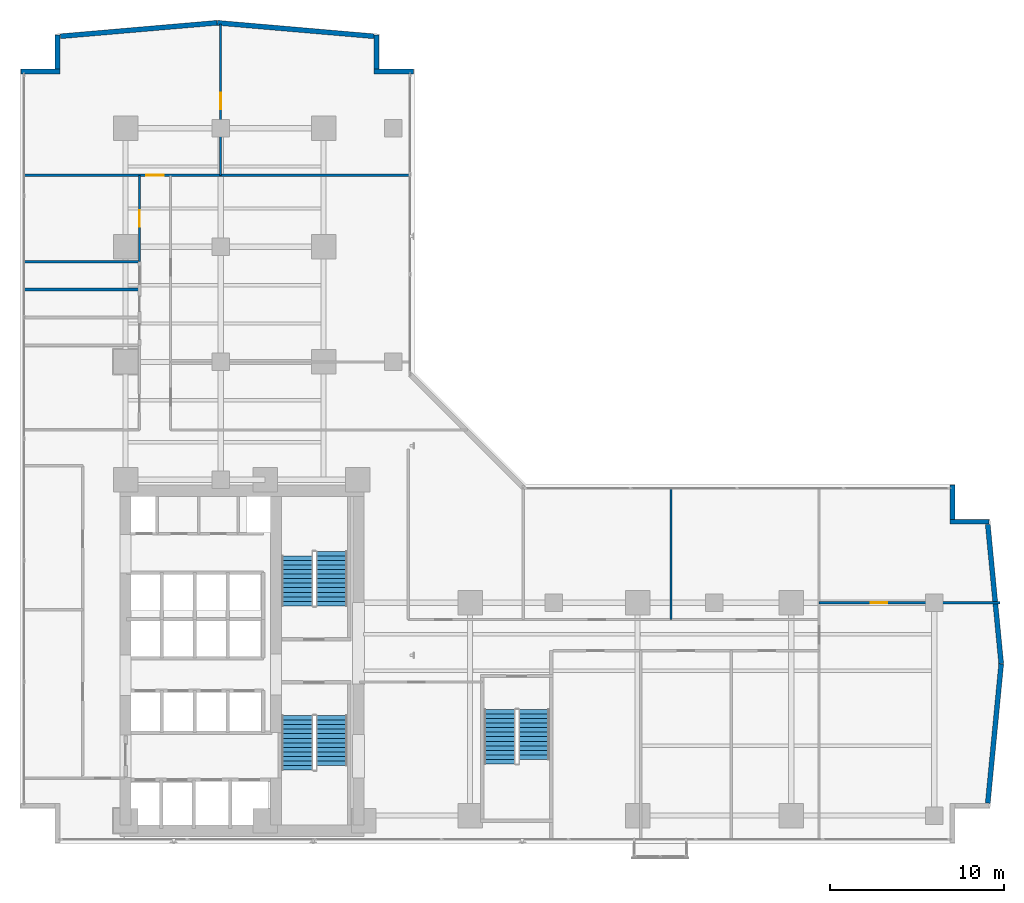
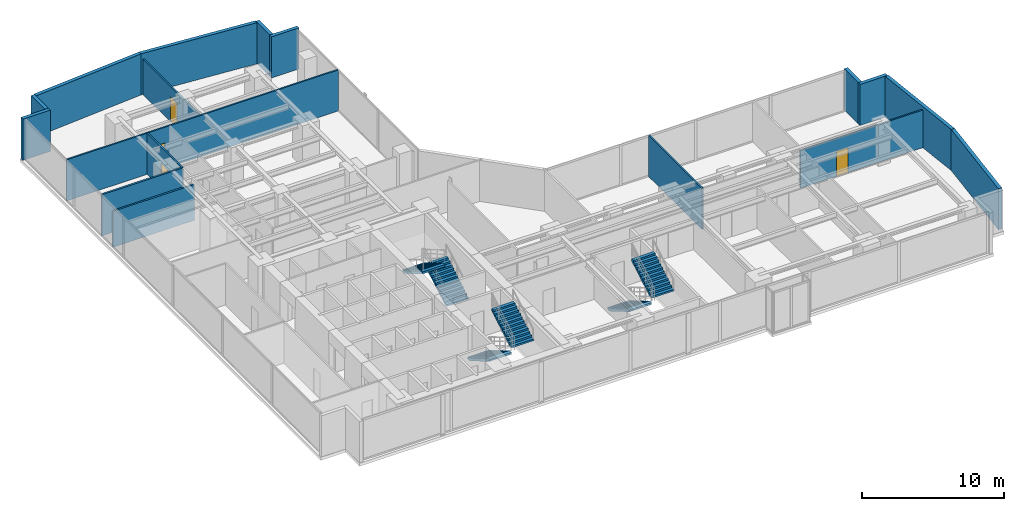
# One storey, part 22 of 28: 17 walls, 6 stair flights, 4 doors, 4 openings, 3 elements without a shape of their own.
"""IFC4 building model written with IfcOpenShell, lengths in metres."""

import ifcopenshell
import ifcopenshell.guid

model = None  # the IFC model being written
_history = None  # IfcOwnerHistory: only IFC2X3 demands one
_inside = {}  # id of a spatial element -> (the spatial element, [elements in it])
_under = {}  # id of a project, library or spatial element -> (it, [spatial elements below it])
_declared = {}  # id of a project -> (the project, [libraries it declares])
_typed = {}  # id of a type object -> (the type object, [elements of that type])
_made_of = {}  # id of a material, layer set ... -> (it, [elements and type objects made of it])


def new_model(schema):
    """Start an empty IFC model of exactly this schema.

    Asked for "IFC4X3", IfcOpenShell would pick the latest addendum, in which some entities
    have other attributes; the version numbers below select the first issue.
    IFC2X3 requires an IfcOwnerHistory on every rooted entity: one is made here for all.
    """
    global model, _history
    if schema == "IFC4X3":
        model = ifcopenshell.file(schema_version=(4, 3, 0, 0))
    else:
        model = ifcopenshell.file(schema=schema)
    _inside.clear()
    _under.clear()
    _declared.clear()
    _typed.clear()
    _made_of.clear()
    _history = None
    if model.schema == "IFC2X3":
        org = make("IfcOrganization", Name="unknown")
        user = make(
            "IfcPersonAndOrganization",
            ThePerson=make("IfcPerson", FamilyName="unknown"),
            TheOrganization=org,
        )
        app = make(
            "IfcApplication",
            ApplicationDeveloper=org,
            Version="unknown",
            ApplicationFullName="unknown",
            ApplicationIdentifier="unknown",
        )
        _history = make(
            "IfcOwnerHistory",
            OwningUser=user,
            OwningApplication=app,
            ChangeAction="ADDED",
            CreationDate=0,
        )
    return model


def make(cls, **values):
    """One entity of the class cls with the attributes given. An attribute that is None is left unset."""
    return model.create_entity(
        cls, **{name: value for name, value in values.items() if value is not None}
    )


def rooted(cls, **values):
    """An entity with a GlobalId (a new one), such as an element, a storey or a relation."""
    return make(cls, GlobalId=ifcopenshell.guid.new(), OwnerHistory=_history, **values)


def si_unit(unit_type, name, prefix=None):
    """IfcSIUnit, for example si_unit("LENGTHUNIT", "METRE", prefix="MILLI")."""
    return make("IfcSIUnit", UnitType=unit_type, Prefix=prefix, Name=name)


def assignment(units):
    """IfcUnitAssignment: the units of a project."""
    return None if units is None else make("IfcUnitAssignment", Units=units)


def point(xyz):
    """IfcCartesianPoint."""
    return None if xyz is None else make("IfcCartesianPoint", Coordinates=xyz)


def direction(xyz):
    """IfcDirection."""
    return None if xyz is None else make("IfcDirection", DirectionRatios=xyz)


def frame(location, z_axis=None, x_axis=None):
    """IfcAxis2Placement3D, a coordinate frame: its origin and axes. An axis left out is left unset."""
    return make(
        "IfcAxis2Placement3D",
        Location=point(location),
        Axis=direction(z_axis),
        RefDirection=direction(x_axis),
    )


def frame_2d(location, x_axis=None):
    """IfcAxis2Placement2D, a coordinate frame in the plane: its origin and x axis."""
    return make(
        "IfcAxis2Placement2D", Location=point(location), RefDirection=direction(x_axis)
    )


def origin():
    """The frame at (0, 0, 0) with its axes left unset."""
    return frame((0.0, 0.0, 0.0))


def place(relative_to, where):
    """IfcLocalPlacement: puts the frame where relative to a parent placement (None: the world)."""
    return make(
        "IfcLocalPlacement", PlacementRelTo=relative_to, RelativePlacement=where
    )


def context(
    kind, dimensions, precision=None, world=None, true_north=None, identifier=None
):
    """IfcGeometricRepresentationContext, for example the 3D "Model" context."""
    return make(
        "IfcGeometricRepresentationContext",
        ContextIdentifier=identifier,
        ContextType=kind,
        CoordinateSpaceDimension=dimensions,
        Precision=precision,
        WorldCoordinateSystem=world,
        TrueNorth=true_north,
    )


def subcontext(parent, identifier, kind, view, scale=None):
    """IfcGeometricRepresentationSubContext, for example "Body" below "Model"."""
    return make(
        "IfcGeometricRepresentationSubContext",
        ContextIdentifier=identifier,
        ContextType=kind,
        ParentContext=parent,
        TargetScale=scale,
        TargetView=view,
    )


def project(units=None, contexts=None):
    """IfcProject with its units and contexts."""
    return rooted(
        "IfcProject",
        Name="project",
        RepresentationContexts=contexts,
        UnitsInContext=assignment(units),
    )


def spatial(cls, under=None, at=None, **own):
    """A site, building, storey or space (cls), placed at a placement, below another one or the project."""
    s = rooted(cls, ObjectPlacement=at, **own)
    if under is not None:
        _under.setdefault(under.id(), (under, []))[1].append(s)
    return s


def polyline(points):
    """IfcPolyline through the points."""
    return make("IfcPolyline", Points=[point(p) for p in points])


def profile(cls, at=None, kind="AREA", **sizes):
    """A parametric profile (cls). Its sizes go by their IFC names, for example OverallWidth=200.0."""
    return make(cls, ProfileType=kind, Position=at, **sizes)


def rectangle(**sizes):
    """IfcRectangleProfileDef."""
    return profile("IfcRectangleProfileDef", **sizes)


def outline(outer, holes=None, kind="AREA"):
    """IfcArbitraryClosedProfileDef: a profile drawn as a closed curve; with holes, ...WithVoids."""
    if holes is None:
        return make("IfcArbitraryClosedProfileDef", ProfileType=kind, OuterCurve=outer)
    return make(
        "IfcArbitraryProfileDefWithVoids",
        ProfileType=kind,
        OuterCurve=outer,
        InnerCurves=holes,
    )


def extrude(swept, where, along, depth):
    """IfcExtrudedAreaSolid: the profile swept, set in the frame where, extruded along a direction by depth."""
    return make(
        "IfcExtrudedAreaSolid",
        SweptArea=swept,
        Position=where,
        ExtrudedDirection=direction(along),
        Depth=depth,
    )


def shape(context_of_items, identifier, shape_type, items):
    """IfcShapeRepresentation: the items that make up one representation, for example the "Body"."""
    return make(
        "IfcShapeRepresentation",
        ContextOfItems=context_of_items,
        RepresentationIdentifier=identifier,
        RepresentationType=shape_type,
        Items=items,
    )


def material(Name=None, Category=None):
    """IfcMaterial."""
    return make("IfcMaterial", Name=Name, Category=Category)


def layer(
    of_material, thickness, ventilated=None, Name=None, Category=None, Priority=None
):
    """IfcMaterialLayer: one layer of a wall or slab, of a material (None: an air gap)."""
    return make(
        "IfcMaterialLayer",
        Material=of_material,
        LayerThickness=thickness,
        IsVentilated=ventilated,
        Name=Name,
        Category=Category,
        Priority=Priority,
    )


def layer_set(layers, Name=None):
    """IfcMaterialLayerSet."""
    return make("IfcMaterialLayerSet", MaterialLayers=layers, LayerSetName=Name)


def made_of(thing, what):
    """Note that an element or type object is made of a material, layer set ...; save() writes the relation."""
    if what is not None:
        _made_of.setdefault(what.id(), (what, []))[1].append(thing)
    return thing


def type_object(cls, material=None, **own):
    """A type object (cls), such as IfcWallType, which elements share."""
    return made_of(rooted(cls, **own), material)


def element(
    cls,
    number,
    at=None,
    inside=None,
    cuts=None,
    type_object=None,
    material=None,
    context=None,
    identifier="Body",
    shape_type=None,
    held_by="IfcProductDefinitionShape",
    body=None,
    shapes=None,
    **own,
):
    """One element of the class cls, such as IfcWall. Its Tag is "e" and its number.

    at: its placement. inside: the storey or other place that contains it. cuts: it is an
    opening in that element (IfcRelVoidsElement). A single representation is given by context,
    identifier, shape_type and body (its items); several are given by shapes. held_by: the class
    of the entity that holds the representations. save() writes the other relations.
    """
    e = rooted(cls, Tag="e%d" % number, ObjectPlacement=at, **own)
    if body is not None:
        shapes = [shape(context, identifier, shape_type, body)]
    if shapes is not None:
        e.Representation = make(held_by, Representations=shapes)
    if inside is not None:
        _inside.setdefault(inside.id(), (inside, []))[1].append(e)
    if cuts is not None:
        rooted(
            "IfcRelVoidsElement", RelatingBuildingElement=cuts, RelatedOpeningElement=e
        )
    if type_object is not None:
        _typed.setdefault(type_object.id(), (type_object, []))[1].append(e)
    return made_of(e, material)


def fill(opening, filler):
    """IfcRelFillsElement: the door or window that sits in an opening."""
    return rooted(
        "IfcRelFillsElement",
        RelatingOpeningElement=opening,
        RelatedBuildingElement=filler,
    )


def aggregate(whole, parts):
    """IfcRelAggregates: a whole, such as a stair, and the parts it consists of."""
    return rooted("IfcRelAggregates", RelatingObject=whole, RelatedObjects=parts)


def save(model, path):
    """Write the relations noted so far, then the file.

    IfcRelAggregates (storeys below a building ...), IfcRelContainedInSpatialStructure (elements
    in a storey), IfcRelDefinesByType, IfcRelAssociatesMaterial and IfcRelDeclares: one each for
    every whole, place, type object, material and project.
    """
    for whole, parts in _under.values():
        aggregate(whole, parts)
    for where, things in _inside.values():
        rooted(
            "IfcRelContainedInSpatialStructure",
            RelatedElements=things,
            RelatingStructure=where,
        )
    for kind, things in _typed.values():
        rooted("IfcRelDefinesByType", RelatedObjects=things, RelatingType=kind)
    for what, things in _made_of.values():
        rooted("IfcRelAssociatesMaterial", RelatedObjects=things, RelatingMaterial=what)
    for by, libraries in _declared.values():
        rooted("IfcRelDeclares", RelatingContext=by, RelatedDefinitions=libraries)
    model.write(path)


model = new_model("IFC4")

# Units and contexts
model_context = context("Model", 3, precision=1e-05, world=origin(), true_north=direction((0.0, 1.0)))
body_context = subcontext(model_context, "Body", "Model", "MODEL_VIEW")
ifc_project = project(units=[si_unit("LENGTHUNIT", "METRE"), si_unit("AREAUNIT", "SQUARE_METRE"), si_unit("VOLUMEUNIT", "CUBIC_METRE"), si_unit("PLANEANGLEUNIT", "RADIAN"), si_unit("MASSUNIT", "GRAM", prefix="KILO")], contexts=[model_context])

# Site, building, storey
site_placement = place(None, origin())
site = spatial("IfcSite", under=ifc_project, at=site_placement, CompositionType="ELEMENT")
building_placement = place(site_placement, origin())
building = spatial("IfcBuilding", under=site, at=building_placement, Name="Kolvaren Waterfront Exchange", CompositionType="ELEMENT")
storey_placement = place(building_placement, frame((0.0, 0.0, 103.10009765625)))
storey = spatial("IfcBuildingStorey", under=building, at=storey_placement, Name="L26", CompositionType="ELEMENT", Elevation=103.10009765625)

# Walls
ifc_material_1 = material(Name="Precast concrete C40/50", Category="concrete")
ifc_layer_1 = layer(ifc_material_1, 0.280029296875, Name="Precast concrete C40/50")
ifc_layer_set_1 = layer_set([ifc_layer_1], Name="Precast concrete C40/50")
wall_type_1 = type_object("IfcWallType", Name="ARC-EXT-TERR-280", PredefinedType="SOLIDWALL", material=ifc_layer_set_1)
wall_1_placement = place(storey_placement, frame((54.840087890625, 22.1650390625, 0.0), z_axis=(0.0, 0.0, 1.0), x_axis=(0.0, 1.0, 0.0)))
element("IfcWall", 1, at=wall_1_placement, inside=storey, type_object=wall_type_1, Name="L26 notched corner spandrel pier ENE-A", PredefinedType="SOLIDWALL", context=body_context, shape_type="SweptSolid", body=[
    extrude(rectangle(XDim=1.974853515625, YDim=0.280029296875, at=frame_2d((0.9873046875, 0.0))), origin(), (0.0, 0.0, 1.0), 3.539794921875),
])
for number, where, z_axis, x_axis, name in (
    (2, (54.699951171875, 22.0400390625, 0.0), (0.0, 0.0, 1.0), (1.0, 0.0, 0.0), "L26 notched corner spandrel pier ENE-B"),
    (3, (21.699951171875, 47.840087890625, 0.0), (0.0, 0.0, 1.0), (1.0, 0.0, 0.0), "L26 notched corner spandrel pier NNE-A"),
):
    element("IfcWall", number, at=place(storey_placement, frame(where, z_axis=z_axis, x_axis=x_axis)), inside=storey, type_object=wall_type_1, Name=name, PredefinedType="SOLIDWALL", context=body_context, shape_type="SweptSolid", body=[
        extrude(rectangle(XDim=2.239990234375, YDim=0.280029296875, at=frame_2d((1.1201171875, 0.0))), origin(), (0.0, 0.0, 1.0), 3.539794921875),
    ])
wall_2_placement = place(storey_placement, frame((21.840087890625, 47.97998046875, 0.0), z_axis=(0.0, 0.0, 1.0), x_axis=(0.0, 1.0, 0.0)))
element("IfcWall", 4, at=wall_2_placement, inside=storey, type_object=wall_type_1, Name="L26 notched corner spandrel pier NNE-B", PredefinedType="SOLIDWALL", context=body_context, shape_type="SweptSolid", body=[
    extrude(rectangle(XDim=1.9599609375, YDim=0.280029296875, at=frame_2d((0.97998046875, 0.0))), origin(), (0.0, 0.0, 1.0), 3.539794921875),
])
wall_3_placement = place(storey_placement, frame((1.4599609375, 47.840087890625, 0.0), z_axis=(0.0, 0.0, 1.0), x_axis=(1.0, 0.0, 0.0)))
element("IfcWall", 5, at=wall_3_placement, inside=storey, type_object=wall_type_1, Name="L26 notched corner spandrel pier NW-A", PredefinedType="SOLIDWALL", context=body_context, shape_type="SweptSolid", body=[
    extrude(rectangle(XDim=2.239990234375, YDim=0.280029296875, at=frame_2d((1.1201171875, 0.0))), origin(), (0.0, 0.0, 1.0), 3.539794921875),
])
wall_4_placement = place(storey_placement, frame((3.56005859375, 47.97998046875, 0.0), z_axis=(0.0, 0.0, 1.0), x_axis=(0.0, 1.0, 0.0)))
element("IfcWall", 6, at=wall_4_placement, inside=storey, type_object=wall_type_1, Name="L26 notched corner spandrel pier NW-B", PredefinedType="SOLIDWALL", context=body_context, shape_type="SweptSolid", body=[
    extrude(rectangle(XDim=1.9599609375, YDim=0.280029296875, at=frame_2d((0.97998046875, 0.0))), origin(), (0.0, 0.0, 1.0), 3.539794921875),
])
for number, where, z_axis, x_axis, name in (
    (7, (56.869384765625, 5.9140625, 0.0), (0.0, 0.0, 1.0), (0.095969995245, 0.995384227328, 0.0), "L26 east prow faceted facade wall 1"),
    (8, (57.638916015625, 13.904541015625, 0.0), (0.0, 0.0, 1.0), (-0.095969995245, 0.995384227328, 0.0), "L26 east prow faceted facade wall 2"),
):
    element("IfcWall", number, at=place(storey_placement, frame(where, z_axis=z_axis, x_axis=x_axis)), inside=storey, type_object=wall_type_1, Name=name, PredefinedType="SOLIDWALL", context=body_context, shape_type="SweptSolid", body=[
        extrude(rectangle(XDim=8.0185546875, YDim=0.280029296875, at=frame_2d((4.00927734375, 0.0))), origin(), (0.0, 0.0, 1.0), 3.539794921875),
    ])
for number, where, z_axis, x_axis, name in (
    (9, (21.6875, 49.8662109375, 0.0), (0.0, 0.0, 1.0), (-0.996319339243, 0.085719159179, 0.0), "L26 north prow faceted facade wall 1"),
    (10, (12.69384765625, 50.638916015625, 0.0), (0.0, 0.0, 1.0), (-0.996319339243, -0.085719159179, 0.0), "L26 north prow faceted facade wall 2"),
):
    element("IfcWall", number, at=place(storey_placement, frame(where, z_axis=z_axis, x_axis=x_axis)), inside=storey, type_object=wall_type_1, Name=name, PredefinedType="SOLIDWALL", context=body_context, shape_type="SweptSolid", body=[
        extrude(rectangle(XDim=9.014404296875, YDim=0.280029296875, at=frame_2d((4.50732421875, 0.0))), origin(), (0.0, 0.0, 1.0), 3.539794921875),
    ])

# Wall, opening, door
ifc_material_2 = material(Name="Acoustic gypsum steel stud", Category="steel")
ifc_layer_2 = layer(ifc_material_2, 0.125, Name="Acoustic gypsum steel stud")
ifc_layer_set_2 = layer_set([ifc_layer_2], Name="Acoustic gypsum steel stud")
wall_type_2 = type_object("IfcWallType", Name="ARC-PART-125", PredefinedType="PARTITIONING", material=ifc_layer_set_2)
wall_5_placement = place(storey_placement, frame((47.199951171875, 17.39990234375, 0.0), z_axis=(0.0, 0.0, 1.0), x_axis=(1.0, 0.0, 0.0)))
wall_5 = element("IfcWall", 11, at=wall_5_placement, inside=storey, type_object=wall_type_2, Name="L26 interior wall PW-L26-ETIP-MID", PredefinedType="PARTITIONING", context=body_context, shape_type="SweptSolid", body=[
    extrude(rectangle(XDim=10.360107421875, YDim=0.125, at=frame_2d((5.18017578125, 0.0))), origin(), (0.0, 0.0, 1.0), 3.239990234375),
])
opening_1_placement = place(wall_5_placement, frame((2.949951171875, 0.0, 0.0)))
opening_1 = element("IfcOpeningElement", 12, at=opening_1_placement, cuts=wall_5, Name="Opening D02", PredefinedType="OPENING", context=body_context, shape_type="SweptSolid", body=[
    extrude(rectangle(XDim=0.949951171875, YDim=2.14990234375, at=frame_2d((0.47509765625, 1.074951171875))), frame((0.0, 0.072509765625, 0.0), z_axis=(0.0, -1.0, 0.0), x_axis=(1.0, 0.0, 0.0)), (0.0, 0.0, 1.0), 0.14501953125),
])
ifc_material_3 = material(Name="Oak veneer acoustic timber", Category="wood")
door_type_1 = type_object("IfcDoorType", Name="ARC-DR-950", OperationType="NOTDEFINED", PredefinedType="DOOR", material=ifc_material_3)
door_1_placement = place(opening_1_placement, origin())
door_1 = element("IfcDoor", 13, at=door_1_placement, inside=storey, type_object=door_type_1, Name="L26 door DR-L26-ETIP2-D (D02)", OperationType="SINGLE_SWING_RIGHT", OverallHeight=2.14990234375, OverallWidth=0.949951171875, PredefinedType="DOOR", context=body_context, shape_type="SweptSolid", body=[
    extrude(rectangle(XDim=0.949951171875, YDim=2.14990234375, at=frame_2d((0.47509765625, 1.074951171875))), frame((0.0, 0.02490234375, 0.0), z_axis=(0.0, -1.0, 0.0), x_axis=(1.0, 0.0, 0.0)), (0.0, 0.0, 1.0), 0.050048828125),
])
fill(opening_1, door_1)

# Wall
wall_6_placement = place(storey_placement, frame((38.719970703125, 16.429931640625, 0.0), z_axis=(0.0, 0.0, 1.0), x_axis=(0.0, 1.0, 0.0)))
element("IfcWall", 14, at=wall_6_placement, inside=storey, type_object=wall_type_2, Name="L26 interior wall PW-L26-EN-DIV-2", PredefinedType="PARTITIONING", context=body_context, shape_type="SweptSolid", body=[
    extrude(rectangle(XDim=7.530029296875, YDim=0.125, at=frame_2d((3.76513671875, 0.0))), origin(), (0.0, 0.0, 1.0), 3.539794921875),
])

# Wall, opening, door
wall_7_placement = place(storey_placement, frame((8.25, 36.949951171875, 0.0), z_axis=(0.0, 0.0, 1.0), x_axis=(0.0, 1.0, 0.0)))
wall_7 = element("IfcWall", 15, at=wall_7_placement, inside=storey, type_object=wall_type_2, Name="L26 interior wall PW-L26-NW-CORR", PredefinedType="PARTITIONING", context=body_context, shape_type="SweptSolid", body=[
    extrude(rectangle(XDim=4.949951171875, YDim=0.125, at=frame_2d((2.47509765625, 0.0))), origin(), (0.0, 0.0, 1.0), 3.539794921875),
])
opening_2_placement = place(wall_7_placement, frame((2.0, 0.0, 0.0)))
opening_2 = element("IfcOpeningElement", 16, at=opening_2_placement, cuts=wall_7, Name="Opening D02", PredefinedType="OPENING", context=body_context, shape_type="SweptSolid", body=[
    extrude(rectangle(XDim=0.949951171875, YDim=2.14990234375, at=frame_2d((0.47509765625, 1.074951171875))), frame((0.0, 0.072509765625, 0.0), z_axis=(0.0, -1.0, 0.0), x_axis=(1.0, 0.0, 0.0)), (0.0, 0.0, 1.0), 0.14501953125),
])
door_2_placement = place(opening_2_placement, origin())
door_2 = element("IfcDoor", 17, at=door_2_placement, inside=storey, type_object=door_type_1, Name="L26 door DR-L26-NW-D-1 (D02)", OperationType="SINGLE_SWING_RIGHT", OverallHeight=2.14990234375, OverallWidth=0.949951171875, PredefinedType="DOOR", context=body_context, shape_type="SweptSolid", body=[
    extrude(rectangle(XDim=0.949951171875, YDim=2.14990234375, at=frame_2d((0.47509765625, 1.074951171875))), frame((0.0, 0.02490234375, 0.0), z_axis=(0.0, -1.0, 0.0), x_axis=(1.0, 0.0, 0.0)), (0.0, 0.0, 1.0), 0.050048828125),
])
fill(opening_2, door_2)

wall_8_placement = place(storey_placement, frame((1.639892578125, 41.89990234375, 0.0), z_axis=(0.0, 0.0, 1.0), x_axis=(1.0, 0.0, 0.0)))
wall_8 = element("IfcWall", 18, at=wall_8_placement, inside=storey, type_object=wall_type_2, Name="L26 interior wall PW-L26-NTIP-S", PredefinedType="PARTITIONING", context=body_context, shape_type="SweptSolid", body=[
    extrude(rectangle(XDim=22.1201171875, YDim=0.125, at=frame_2d((11.06005859375, 0.0))), origin(), (0.0, 0.0, 1.0), 3.539794921875),
])
opening_3_placement = place(wall_8_placement, frame((7.0, 0.0, 0.0)))
opening_3 = element("IfcOpeningElement", 19, at=opening_3_placement, cuts=wall_8, Name="Opening D03", PredefinedType="OPENING", context=body_context, shape_type="SweptSolid", body=[
    extrude(rectangle(XDim=1.0, YDim=2.199951171875, at=frame_2d((0.5, 1.10009765625))), frame((0.0, 0.072509765625, 0.0), z_axis=(0.0, -1.0, 0.0), x_axis=(1.0, 0.0, 0.0)), (0.0, 0.0, 1.0), 0.14501953125),
])
ifc_material_4 = material(Name="Oak veneer accessible timber", Category="wood")
door_type_2 = type_object("IfcDoorType", Name="ARC-DR-1000", OperationType="NOTDEFINED", PredefinedType="DOOR", material=ifc_material_4)
door_3_placement = place(opening_3_placement, origin())
door_3 = element("IfcDoor", 20, at=door_3_placement, inside=storey, type_object=door_type_2, Name="L26 door DR-L26-NTIPW-D (D03)", OperationType="SINGLE_SWING_LEFT", OverallHeight=2.199951171875, OverallWidth=1.0, PredefinedType="DOOR", context=body_context, shape_type="SweptSolid", body=[
    extrude(rectangle(XDim=1.0, YDim=2.199951171875, at=frame_2d((0.5, 1.10009765625))), frame((0.0, 0.02490234375, 0.0), z_axis=(0.0, -1.0, 0.0), x_axis=(1.0, 0.0, 0.0)), (0.0, 0.0, 1.0), 0.050048828125),
])
fill(opening_3, door_3)

wall_9_placement = place(storey_placement, frame((12.89990234375, 41.89990234375, 0.0), z_axis=(0.0, 0.0, 1.0), x_axis=(0.0, 1.0, 0.0)))
wall_9 = element("IfcWall", 21, at=wall_9_placement, inside=storey, type_object=wall_type_2, Name="L26 interior wall PW-L26-NTIP-DIV", PredefinedType="PARTITIONING", context=body_context, shape_type="SweptSolid", body=[
    extrude(rectangle(XDim=8.66015625, YDim=0.125, at=frame_2d((4.330078125, 0.0))), origin(), (0.0, 0.0, 1.0), 3.039794921875),
])
opening_4_placement = place(wall_9_placement, frame((3.77880859375, 0.0, 0.0)))
opening_4 = element("IfcOpeningElement", 22, at=opening_4_placement, cuts=wall_9, Name="Opening D02", PredefinedType="OPENING", context=body_context, shape_type="SweptSolid", body=[
    extrude(rectangle(XDim=0.949951171875, YDim=2.14990234375, at=frame_2d((0.47509765625, 1.074951171875))), frame((0.0, 0.072509765625, 0.0), z_axis=(0.0, -1.0, 0.0), x_axis=(1.0, 0.0, 0.0)), (0.0, 0.0, 1.0), 0.14501953125),
])
door_4_placement = place(opening_4_placement, origin())
door_4 = element("IfcDoor", 23, at=door_4_placement, inside=storey, type_object=door_type_1, Name="L26 door DR-L26-NTIPE-D (D02)", OperationType="SINGLE_SWING_RIGHT", OverallHeight=2.14990234375, OverallWidth=0.949951171875, PredefinedType="DOOR", context=body_context, shape_type="SweptSolid", body=[
    extrude(rectangle(XDim=0.949951171875, YDim=2.14990234375, at=frame_2d((0.47509765625, 1.074951171875))), frame((0.0, 0.02490234375, 0.0), z_axis=(0.0, -1.0, 0.0), x_axis=(1.0, 0.0, 0.0)), (0.0, 0.0, 1.0), 0.050048828125),
])
fill(opening_4, door_4)

# Walls
ifc_material_5 = material(Name="Moisture-resistant gypsum stud")
ifc_layer_3 = layer(ifc_material_5, 0.14990234375, Name="Moisture-resistant gypsum stud")
ifc_layer_set_3 = layer_set([ifc_layer_3], Name="Moisture-resistant gypsum stud")
wall_type_3 = type_object("IfcWallType", Name="ARC-PLUMB-150", PredefinedType="PLUMBINGWALL", material=ifc_layer_set_3)
wall_10_placement = place(storey_placement, frame((1.639892578125, 35.35009765625, 0.0), z_axis=(0.0, 0.0, 1.0), x_axis=(1.0, 0.0, 0.0)))
element("IfcWall", 24, at=wall_10_placement, inside=storey, type_object=wall_type_3, Name="L26 interior wall PW-L26-WC-2", PredefinedType="PLUMBINGWALL", context=body_context, shape_type="SweptSolid", body=[
    extrude(rectangle(XDim=6.610107421875, YDim=0.14990234375, at=frame_2d((3.30517578125, 0.0))), origin(), (0.0, 0.0, 1.0), 3.08984375),
])
wall_11_placement = place(storey_placement, frame((1.639892578125, 36.949951171875, 0.0), z_axis=(0.0, 0.0, 1.0), x_axis=(1.0, 0.0, 0.0)))
element("IfcWall", 25, at=wall_11_placement, inside=storey, type_object=wall_type_3, Name="L26 interior wall PW-L26-WC-3", PredefinedType="PLUMBINGWALL", context=body_context, shape_type="SweptSolid", body=[
    extrude(rectangle(XDim=6.610107421875, YDim=0.14990234375, at=frame_2d((3.30517578125, 0.0))), origin(), (0.0, 0.0, 1.0), 3.539794921875),
])

# Stair, stair flights
ifc_material_6 = material(Name="Concrete C40/50", Category="concrete")
stair_type = type_object("IfcStairType", Name="ARC-STAIR-3800", PredefinedType="HALF_TURN_STAIR", material=ifc_material_6)
stair_1_placement = place(storey_placement, origin())
stair_1 = element("IfcStair", 26, at=stair_1_placement, inside=storey, type_object=stair_type, Name="L26 Smoke-proof exit stair ST1", PredefinedType="HALF_TURN_STAIR")
stair_flight_type = type_object("IfcStairFlightType", Name="ARC-FLIGHT-3800", PredefinedType="STRAIGHT", material=ifc_material_6)
stair_flight_1_placement = place(storey_placement, frame((17.300048828125, 10.929931640625, 0.0), z_axis=(0.0, 0.0, 1.0), x_axis=(0.0, -1.0, 0.0)))
stair_flight_1 = element("IfcStairFlight", 27, at=stair_flight_1_placement, type_object=stair_flight_type, Name="ST1 flight 1", NumberOfRisers=13, NumberOfTreads=12, PredefinedType="STRAIGHT", RiserHeight=0.152, TreadLength=0.26, context=body_context, shape_type="SweptSolid", body=[
    extrude(outline(polyline([(0.0, 0.0), (0.0, 0.152099609375), (0.260009765625, 0.152099609375), (0.260009765625, 0.303955078125), (0.52001953125, 0.303955078125), (0.52001953125, 0.4560546875), (0.780029296875, 0.4560546875), (0.780029296875, 0.60791015625), (1.0400390625, 0.60791015625), (1.0400390625, 0.760009765625), (1.300048828125, 0.760009765625), (1.300048828125, 0.912109375), (1.56005859375, 0.912109375), (1.56005859375, 1.06396484375), (1.820068359375, 1.06396484375), (1.820068359375, 1.216064453125), (2.080078125, 1.216064453125), (2.080078125, 1.367919921875), (2.340087890625, 1.367919921875), (2.340087890625, 1.52001953125), (2.60009765625, 1.52001953125), (2.60009765625, 1.672119140625), (2.860107421875, 1.672119140625), (2.860107421875, 1.823974609375), (3.1201171875, 1.823974609375), (3.1201171875, 1.97607421875), (3.1201171875, 1.650390625), (0.297119140625, 0.0), (0.0, 0.0)])), frame((0.0, 0.89990234375, 0.0), z_axis=(0.0, -1.0, 0.0), x_axis=(1.0, 0.0, 0.0)), (0.0, 0.0, 1.0), 1.800048828125),
])
stair_flight_2_placement = place(storey_placement, frame((19.260009765625, 8.070068359375, 1.975830078125), z_axis=(0.0, 0.0, 1.0), x_axis=(0.0, 1.0, 0.0)))
stair_flight_2 = element("IfcStairFlight", 28, at=stair_flight_2_placement, type_object=stair_flight_type, Name="ST1 flight 2", NumberOfRisers=12, NumberOfTreads=11, PredefinedType="STRAIGHT", RiserHeight=0.152, TreadLength=0.26, context=body_context, shape_type="SweptSolid", body=[
    extrude(outline(polyline([(0.0, 0.0), (0.0, 0.152099609375), (0.260009765625, 0.152099609375), (0.260009765625, 0.303955078125), (0.52001953125, 0.303955078125), (0.52001953125, 0.4560546875), (0.780029296875, 0.4560546875), (0.780029296875, 0.60791015625), (1.0400390625, 0.60791015625), (1.0400390625, 0.760009765625), (1.300048828125, 0.760009765625), (1.300048828125, 0.912109375), (1.56005859375, 0.912109375), (1.56005859375, 1.06396484375), (1.820068359375, 1.06396484375), (1.820068359375, 1.216064453125), (2.080078125, 1.216064453125), (2.080078125, 1.367919921875), (2.340087890625, 1.367919921875), (2.340087890625, 1.52001953125), (2.60009765625, 1.52001953125), (2.60009765625, 1.672119140625), (2.860107421875, 1.672119140625), (2.860107421875, 1.823974609375), (2.860107421875, 1.498291015625), (0.297119140625, 0.0), (0.0, 0.0)])), frame((0.0, 0.89990234375, 0.0), z_axis=(0.0, -1.0, 0.0), x_axis=(1.0, 0.0, 0.0)), (0.0, 0.0, 1.0), 1.800048828125),
])
aggregate(stair_1, [stair_flight_1, stair_flight_2])

stair_2_placement = place(storey_placement, origin())
stair_2 = element("IfcStair", 29, at=stair_2_placement, inside=storey, type_object=stair_type, Name="L26 Smoke-proof exit stair ST2", PredefinedType="HALF_TURN_STAIR")
stair_flight_3_placement = place(storey_placement, frame((19.260009765625, 17.219970703125, 0.0), z_axis=(0.0, 0.0, 1.0), x_axis=(0.0, 1.0, 0.0)))
stair_flight_3 = element("IfcStairFlight", 30, at=stair_flight_3_placement, type_object=stair_flight_type, Name="ST2 flight 1", NumberOfRisers=13, NumberOfTreads=12, PredefinedType="STRAIGHT", RiserHeight=0.152, TreadLength=0.26, context=body_context, shape_type="SweptSolid", body=[
    extrude(outline(polyline([(0.0, 0.0), (0.0, 0.152099609375), (0.260009765625, 0.152099609375), (0.260009765625, 0.303955078125), (0.52001953125, 0.303955078125), (0.52001953125, 0.4560546875), (0.780029296875, 0.4560546875), (0.780029296875, 0.60791015625), (1.0400390625, 0.60791015625), (1.0400390625, 0.760009765625), (1.300048828125, 0.760009765625), (1.300048828125, 0.912109375), (1.56005859375, 0.912109375), (1.56005859375, 1.06396484375), (1.820068359375, 1.06396484375), (1.820068359375, 1.216064453125), (2.080078125, 1.216064453125), (2.080078125, 1.367919921875), (2.340087890625, 1.367919921875), (2.340087890625, 1.52001953125), (2.60009765625, 1.52001953125), (2.60009765625, 1.672119140625), (2.860107421875, 1.672119140625), (2.860107421875, 1.823974609375), (3.1201171875, 1.823974609375), (3.1201171875, 1.97607421875), (3.1201171875, 1.650390625), (0.297119140625, 0.0), (0.0, 0.0)])), frame((0.0, 0.89990234375, 0.0), z_axis=(0.0, -1.0, 0.0), x_axis=(1.0, 0.0, 0.0)), (0.0, 0.0, 1.0), 1.800048828125),
])
stair_flight_4_placement = place(storey_placement, frame((17.300048828125, 20.080078125, 1.975830078125), z_axis=(0.0, 0.0, 1.0), x_axis=(0.0, -1.0, 0.0)))
stair_flight_4 = element("IfcStairFlight", 31, at=stair_flight_4_placement, type_object=stair_flight_type, Name="ST2 flight 2", NumberOfRisers=12, NumberOfTreads=11, PredefinedType="STRAIGHT", RiserHeight=0.152, TreadLength=0.26, context=body_context, shape_type="SweptSolid", body=[
    extrude(outline(polyline([(0.0, 0.0), (0.0, 0.152099609375), (0.260009765625, 0.152099609375), (0.260009765625, 0.303955078125), (0.52001953125, 0.303955078125), (0.52001953125, 0.4560546875), (0.780029296875, 0.4560546875), (0.780029296875, 0.60791015625), (1.0400390625, 0.60791015625), (1.0400390625, 0.760009765625), (1.300048828125, 0.760009765625), (1.300048828125, 0.912109375), (1.56005859375, 0.912109375), (1.56005859375, 1.06396484375), (1.820068359375, 1.06396484375), (1.820068359375, 1.216064453125), (2.080078125, 1.216064453125), (2.080078125, 1.367919921875), (2.340087890625, 1.367919921875), (2.340087890625, 1.52001953125), (2.60009765625, 1.52001953125), (2.60009765625, 1.672119140625), (2.860107421875, 1.672119140625), (2.860107421875, 1.823974609375), (2.860107421875, 1.498291015625), (0.297119140625, 0.0), (0.0, 0.0)])), frame((0.0, 0.89990234375, 0.0), z_axis=(0.0, -1.0, 0.0), x_axis=(1.0, 0.0, 0.0)), (0.0, 0.0, 1.0), 1.800048828125),
])
aggregate(stair_2, [stair_flight_3, stair_flight_4])

stair_3_placement = place(storey_placement, origin())
stair_3 = element("IfcStair", 32, at=stair_3_placement, inside=storey, type_object=stair_type, Name="L26 Exit stair ST3", PredefinedType="HALF_TURN_STAIR")
stair_flight_5_placement = place(storey_placement, frame((28.89990234375, 11.280029296875, 0.0), z_axis=(0.0, 0.0, 1.0), x_axis=(0.0, -1.0, 0.0)))
stair_flight_5 = element("IfcStairFlight", 33, at=stair_flight_5_placement, type_object=stair_flight_type, Name="ST3 flight 1", NumberOfRisers=13, NumberOfTreads=12, PredefinedType="STRAIGHT", RiserHeight=0.152, TreadLength=0.26, context=body_context, shape_type="SweptSolid", body=[
    extrude(outline(polyline([(0.0, 0.0), (0.0, 0.152099609375), (0.260009765625, 0.152099609375), (0.260009765625, 0.303955078125), (0.52001953125, 0.303955078125), (0.52001953125, 0.4560546875), (0.780029296875, 0.4560546875), (0.780029296875, 0.60791015625), (1.0400390625, 0.60791015625), (1.0400390625, 0.760009765625), (1.300048828125, 0.760009765625), (1.300048828125, 0.912109375), (1.56005859375, 0.912109375), (1.56005859375, 1.06396484375), (1.820068359375, 1.06396484375), (1.820068359375, 1.216064453125), (2.080078125, 1.216064453125), (2.080078125, 1.367919921875), (2.340087890625, 1.367919921875), (2.340087890625, 1.52001953125), (2.60009765625, 1.52001953125), (2.60009765625, 1.672119140625), (2.860107421875, 1.672119140625), (2.860107421875, 1.823974609375), (3.1201171875, 1.823974609375), (3.1201171875, 1.97607421875), (3.1201171875, 1.650390625), (0.297119140625, 0.0), (0.0, 0.0)])), frame((0.0, 0.89990234375, 0.0), z_axis=(0.0, -1.0, 0.0), x_axis=(1.0, 0.0, 0.0)), (0.0, 0.0, 1.0), 1.800048828125),
])
stair_flight_6_placement = place(storey_placement, frame((30.860107421875, 8.419921875, 1.975830078125), z_axis=(0.0, 0.0, 1.0), x_axis=(0.0, 1.0, 0.0)))
stair_flight_6 = element("IfcStairFlight", 34, at=stair_flight_6_placement, type_object=stair_flight_type, Name="ST3 flight 2", NumberOfRisers=12, NumberOfTreads=11, PredefinedType="STRAIGHT", RiserHeight=0.152, TreadLength=0.26, context=body_context, shape_type="SweptSolid", body=[
    extrude(outline(polyline([(0.0, 0.0), (0.0, 0.152099609375), (0.260009765625, 0.152099609375), (0.260009765625, 0.303955078125), (0.52001953125, 0.303955078125), (0.52001953125, 0.4560546875), (0.780029296875, 0.4560546875), (0.780029296875, 0.60791015625), (1.0400390625, 0.60791015625), (1.0400390625, 0.760009765625), (1.300048828125, 0.760009765625), (1.300048828125, 0.912109375), (1.56005859375, 0.912109375), (1.56005859375, 1.06396484375), (1.820068359375, 1.06396484375), (1.820068359375, 1.216064453125), (2.080078125, 1.216064453125), (2.080078125, 1.367919921875), (2.340087890625, 1.367919921875), (2.340087890625, 1.52001953125), (2.60009765625, 1.52001953125), (2.60009765625, 1.672119140625), (2.860107421875, 1.672119140625), (2.860107421875, 1.823974609375), (2.860107421875, 1.498291015625), (0.297119140625, 0.0), (0.0, 0.0)])), frame((0.0, 0.89990234375, 0.0), z_axis=(0.0, -1.0, 0.0), x_axis=(1.0, 0.0, 0.0)), (0.0, 0.0, 1.0), 1.800048828125),
])
aggregate(stair_3, [stair_flight_5, stair_flight_6])

save(model, "model.ifc")
